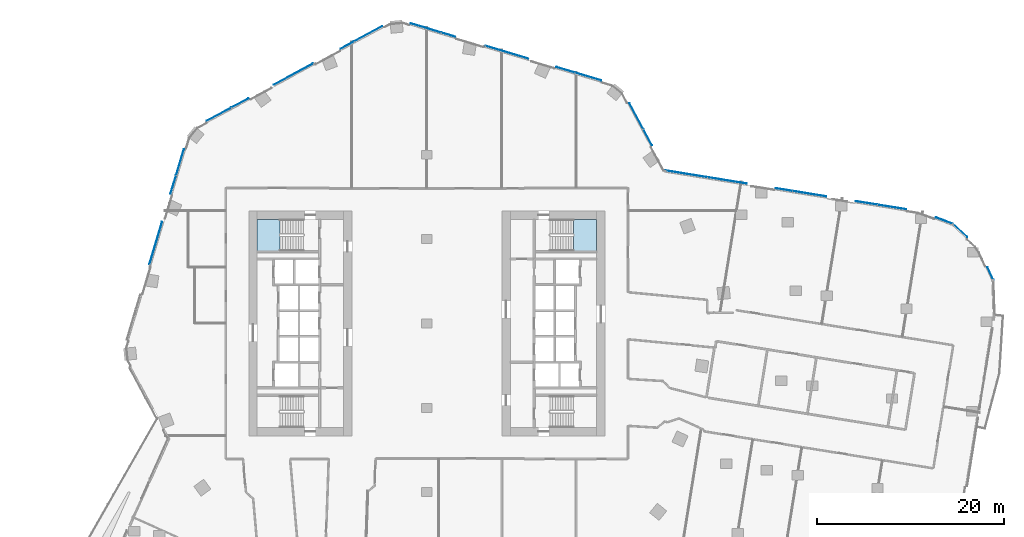
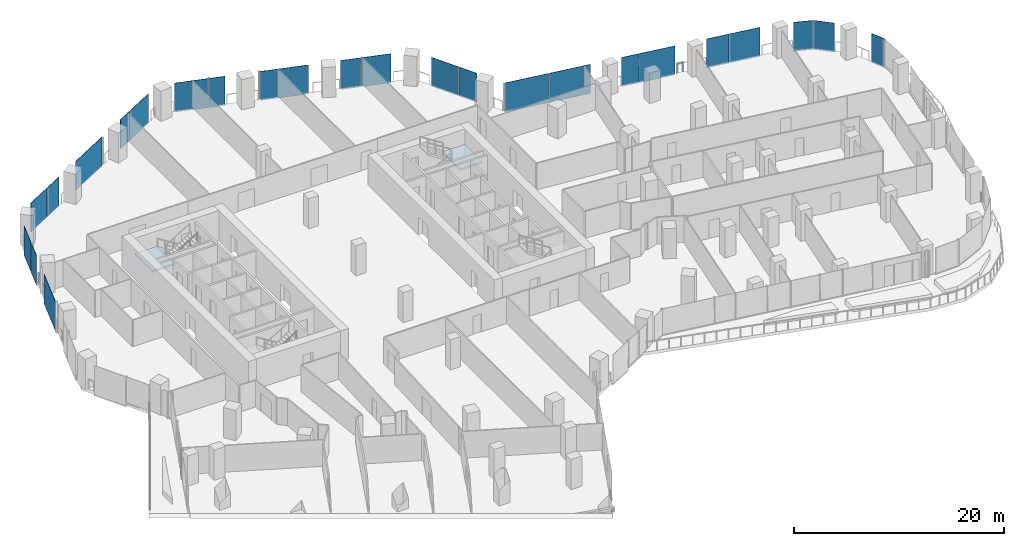
# One storey, part 21 of 32: 24 plates, 2 slabs, 10 elements without a shape of their own.
"""IFC4 building model written with IfcOpenShell, lengths in metres."""

from ifc_helpers import new_model, si_unit, direction, frame, origin, origin_2d, place, context, subcontext, project, spatial, polyline, rectangle, outline, extrude, material, layer, layer_set, type_object, element, aggregate, save


model = new_model("IFC4")

# Units and contexts
model_context = context("Model", 3, precision=1e-05, world=origin(), true_north=direction((0.0, 1.0)))
body_context = subcontext(model_context, "Body", "Model", "MODEL_VIEW")
ifc_project = project(units=[si_unit("LENGTHUNIT", "METRE"), si_unit("AREAUNIT", "SQUARE_METRE"), si_unit("VOLUMEUNIT", "CUBIC_METRE"), si_unit("PLANEANGLEUNIT", "RADIAN"), si_unit("MASSUNIT", "GRAM", prefix="KILO")], contexts=[model_context])

# Site, building, storey
site_placement = place(None, origin())
site = spatial("IfcSite", under=ifc_project, at=site_placement, CompositionType="ELEMENT")
building_placement = place(site_placement, origin())
building = spatial("IfcBuilding", under=site, at=building_placement, Name="Orlundy Tower", CompositionType="ELEMENT")
storey_placement = place(building_placement, frame((0.0, 0.0, 123.699951171875)))
storey = spatial("IfcBuildingStorey", under=building, at=storey_placement, Name="L31", CompositionType="ELEMENT", Elevation=123.699951171875)

# Curtain wall, plates
ifc_material_1 = material(Name="Aluminium bronze anodised", Category="aluminium")
curtain_wall_type = type_object("IfcCurtainWallType", Name="CW1 wall", PredefinedType="NOTDEFINED", material=ifc_material_1)
curtain_wall_1_placement = place(storey_placement, origin())
curtain_wall_1 = element("IfcCurtainWall", 1, at=curtain_wall_1_placement, inside=storey, type_object=curtain_wall_type, Name="CW1 run 02", PredefinedType="NOTDEFINED")
ifc_material_2 = material(Name="Tinted glass", Category="glass")
ifc_layer_1 = layer(ifc_material_2, 0.031982421875)
ifc_layer_set_1 = layer_set([ifc_layer_1], Name="CW1 glass panel 32")
plate_type = type_object("IfcPlateType", Name="CW1 glass panel 32", PredefinedType="CURTAIN_PANEL", material=ifc_layer_set_1)
plate_1_placement = place(storey_placement, frame((-28.92529296875, 8.556640625, -0.27978515625), z_axis=(0.0, 0.0, 1.0), x_axis=(0.286816257107, 0.957985612971, 0.0)))
plate_1 = element("IfcPlate", 2, at=plate_1_placement, type_object=plate_type, Name="CW1 panel", PredefinedType="CURTAIN_PANEL", context=body_context, shape_type="SweptSolid", body=[
    extrude(rectangle(XDim=4.7236328125, YDim=0.031982421875, at=origin_2d()), origin(), (0.0, 0.0, 1.0), 3.3798828125),
])
plate_2_placement = place(storey_placement, frame((-27.057373046875, 14.796142578125, -0.27978515625), z_axis=(0.0, 0.0, 1.0), x_axis=(0.286816257107, 0.957985612971, 0.0)))
plate_2 = element("IfcPlate", 3, at=plate_2_placement, type_object=plate_type, Name="CW1 panel", PredefinedType="CURTAIN_PANEL", context=body_context, shape_type="SweptSolid", body=[
    extrude(rectangle(XDim=2.0322265625, YDim=0.031982421875, at=origin_2d()), origin(), (0.0, 0.0, 1.0), 3.3798828125),
])
plate_3_placement = place(storey_placement, frame((-26.337646484375, 17.199951171875, -0.27978515625), z_axis=(0.0, 0.0, 1.0), x_axis=(0.286816257107, 0.957985612971, 0.0)))
plate_3 = element("IfcPlate", 4, at=plate_3_placement, type_object=plate_type, Name="CW1 panel", PredefinedType="CURTAIN_PANEL", context=body_context, shape_type="SweptSolid", body=[
    extrude(rectangle(XDim=2.886474609375, YDim=0.031982421875, at=origin_2d()), origin(), (0.0, 0.0, 1.0), 3.3798828125),
])
aggregate(curtain_wall_1, [plate_1, plate_2, plate_3])

curtain_wall_2_placement = place(storey_placement, origin())
curtain_wall_2 = element("IfcCurtainWall", 5, at=curtain_wall_2_placement, inside=storey, type_object=curtain_wall_type, Name="CW1 run 03", PredefinedType="NOTDEFINED")
plate_4_placement = place(storey_placement, frame((-22.18603515625, 22.306640625, -0.27978515625), z_axis=(0.0, 0.0, 1.0), x_axis=(0.880191882793, 0.47461800373, 0.0)))
plate_4 = element("IfcPlate", 6, at=plate_4_placement, type_object=plate_type, Name="CW1 panel", PredefinedType="CURTAIN_PANEL", context=body_context, shape_type="SweptSolid", body=[
    extrude(rectangle(XDim=2.920654296875, YDim=0.031982421875, at=origin_2d()), origin(), (0.0, 0.0, 1.0), 3.3798828125),
])
plate_5_placement = place(storey_placement, frame((-19.942138671875, 23.5166015625, -0.27978515625), z_axis=(0.0, 0.0, 1.0), x_axis=(0.880191882793, 0.47461800373, 0.0)))
plate_5 = element("IfcPlate", 7, at=plate_5_placement, type_object=plate_type, Name="CW1 panel", PredefinedType="CURTAIN_PANEL", context=body_context, shape_type="SweptSolid", body=[
    extrude(rectangle(XDim=2.077880859375, YDim=0.031982421875, at=origin_2d()), origin(), (0.0, 0.0, 1.0), 3.3798828125),
])
plate_6_placement = place(storey_placement, frame((-14.2509765625, 26.58544921875, -0.27978515625), z_axis=(0.0, 0.0, 1.0), x_axis=(0.880191882793, 0.47461800373, 0.0)))
plate_6 = element("IfcPlate", 8, at=plate_6_placement, type_object=plate_type, Name="CW1 panel", PredefinedType="CURTAIN_PANEL", context=body_context, shape_type="SweptSolid", body=[
    extrude(rectangle(XDim=4.773193359375, YDim=0.031982421875, at=origin_2d()), origin(), (0.0, 0.0, 1.0), 3.3798828125),
])
plate_7_placement = place(storey_placement, frame((-8.490478515625, 29.69140625, -0.27978515625), z_axis=(0.0, 0.0, 1.0), x_axis=(0.880191882793, 0.47461800373, 0.0)))
plate_7 = element("IfcPlate", 9, at=plate_7_placement, type_object=plate_type, Name="CW1 panel", PredefinedType="CURTAIN_PANEL", context=body_context, shape_type="SweptSolid", body=[
    extrude(rectangle(XDim=1.625732421875, YDim=0.031982421875, at=origin_2d()), origin(), (0.0, 0.0, 1.0), 3.3798828125),
])
plate_8_placement = place(storey_placement, frame((-6.240234375, 30.90478515625, -0.27978515625), z_axis=(0.0, 0.0, 1.0), x_axis=(0.880191882793, 0.47461800373, 0.0)))
plate_8 = element("IfcPlate", 10, at=plate_8_placement, type_object=plate_type, Name="CW1 panel", PredefinedType="CURTAIN_PANEL", context=body_context, shape_type="SweptSolid", body=[
    extrude(rectangle(XDim=3.387451171875, YDim=0.031982421875, at=origin_2d()), origin(), (0.0, 0.0, 1.0), 3.3798828125),
])
aggregate(curtain_wall_2, [plate_4, plate_5, plate_6, plate_7, plate_8])

curtain_wall_3_placement = place(storey_placement, origin())
curtain_wall_3 = element("IfcCurtainWall", 11, at=curtain_wall_3_placement, inside=storey, type_object=curtain_wall_type, Name="CW1 run 04", PredefinedType="NOTDEFINED")
plate_9_placement = place(storey_placement, frame((-0.116943359375, 31.522216796875, -0.27978515625), z_axis=(0.0, 0.0, 1.0), x_axis=(0.957985612971, -0.286816257107, 0.0)))
plate_9 = element("IfcPlate", 12, at=plate_9_placement, type_object=plate_type, Name="CW1 panel", PredefinedType="CURTAIN_PANEL", context=body_context, shape_type="SweptSolid", body=[
    extrude(rectangle(XDim=3.34375, YDim=0.031982421875, at=origin_2d()), origin(), (0.0, 0.0, 1.0), 3.3798828125),
])
plate_10_placement = place(storey_placement, frame((2.286865234375, 30.802490234375, -0.27978515625), z_axis=(0.0, 0.0, 1.0), x_axis=(0.957985612971, -0.286816257107, 0.0)))
plate_10 = element("IfcPlate", 13, at=plate_10_placement, type_object=plate_type, Name="CW1 panel", PredefinedType="CURTAIN_PANEL", context=body_context, shape_type="SweptSolid", body=[
    extrude(rectangle(XDim=1.574951171875, YDim=0.031982421875, at=origin_2d()), origin(), (0.0, 0.0, 1.0), 3.3798828125),
])
plate_11_placement = place(storey_placement, frame((8.556640625, 28.92529296875, -0.27978515625), z_axis=(0.0, 0.0, 1.0), x_axis=(0.957985612971, -0.286816257107, 0.0)))
plate_11 = element("IfcPlate", 14, at=plate_11_placement, type_object=plate_type, Name="CW1 panel", PredefinedType="CURTAIN_PANEL", context=body_context, shape_type="SweptSolid", body=[
    extrude(rectangle(XDim=4.7236328125, YDim=0.031982421875, at=origin_2d()), origin(), (0.0, 0.0, 1.0), 3.3798828125),
])
plate_12_placement = place(storey_placement, frame((14.796142578125, 27.057373046875, -0.27978515625), z_axis=(0.0, 0.0, 1.0), x_axis=(0.957985612971, -0.286816257107, 0.0)))
plate_12 = element("IfcPlate", 15, at=plate_12_placement, type_object=plate_type, Name="CW1 panel", PredefinedType="CURTAIN_PANEL", context=body_context, shape_type="SweptSolid", body=[
    extrude(rectangle(XDim=2.0322265625, YDim=0.031982421875, at=origin_2d()), origin(), (0.0, 0.0, 1.0), 3.3798828125),
])
plate_13_placement = place(storey_placement, frame((17.199951171875, 26.337646484375, -0.27978515625), z_axis=(0.0, 0.0, 1.0), x_axis=(0.957985612971, -0.286816257107, 0.0)))
plate_13 = element("IfcPlate", 16, at=plate_13_placement, type_object=plate_type, Name="CW1 panel", PredefinedType="CURTAIN_PANEL", context=body_context, shape_type="SweptSolid", body=[
    extrude(rectangle(XDim=2.886474609375, YDim=0.031982421875, at=origin_2d()), origin(), (0.0, 0.0, 1.0), 3.3798828125),
])
aggregate(curtain_wall_3, [plate_9, plate_10, plate_11, plate_12, plate_13])

curtain_wall_4_placement = place(storey_placement, origin())
curtain_wall_4 = element("IfcCurtainWall", 17, at=curtain_wall_4_placement, inside=storey, type_object=curtain_wall_type, Name="CW1 run 05", PredefinedType="NOTDEFINED")
plate_14_placement = place(storey_placement, frame((22.341796875, 22.120849609375, -0.27978515625), z_axis=(0.0, 0.0, 1.0), x_axis=(0.4746239814, -0.880188659482, 0.0)))
plate_14 = element("IfcPlate", 18, at=plate_14_placement, type_object=plate_type, Name="CW1 panel", PredefinedType="CURTAIN_PANEL", context=body_context, shape_type="SweptSolid", body=[
    extrude(rectangle(XDim=3.06884765625, YDim=0.031982421875, at=origin_2d()), origin(), (0.0, 0.0, 1.0), 3.3798828125),
])
plate_15_placement = place(storey_placement, frame((23.5517578125, 19.876953125, -0.27978515625), z_axis=(0.0, 0.0, 1.0), x_axis=(0.4746239814, -0.880188659482, 0.0)))
plate_15 = element("IfcPlate", 19, at=plate_15_placement, type_object=plate_type, Name="CW1 panel", PredefinedType="CURTAIN_PANEL", context=body_context, shape_type="SweptSolid", body=[
    extrude(rectangle(XDim=1.929931640625, YDim=0.031982421875, at=origin_2d()), origin(), (0.0, 0.0, 1.0), 3.3798828125),
])
aggregate(curtain_wall_4, [plate_14, plate_15])

curtain_wall_5_placement = place(storey_placement, origin())
curtain_wall_5 = element("IfcCurtainWall", 20, at=curtain_wall_5_placement, inside=storey, type_object=curtain_wall_type, Name="CW1 run 06", PredefinedType="NOTDEFINED")
plate_16_placement = place(storey_placement, frame((27.685791015625, 15.95703125, -0.27978515625), z_axis=(0.0, 0.0, 1.0), x_axis=(0.987229883184, -0.159302095871, 0.0)))
plate_16 = element("IfcPlate", 21, at=plate_16_placement, type_object=plate_type, Name="CW1 panel", PredefinedType="CURTAIN_PANEL", context=body_context, shape_type="SweptSolid", body=[
    extrude(rectangle(XDim=4.48291015625, YDim=0.031982421875, at=origin_2d()), origin(), (0.0, 0.0, 1.0), 3.3798828125),
])
plate_17_placement = place(storey_placement, frame((32.0341796875, 15.25537109375, -0.27978515625), z_axis=(0.0, 0.0, 1.0), x_axis=(0.987229883184, -0.159302095871, 0.0)))
plate_17 = element("IfcPlate", 22, at=plate_17_placement, type_object=plate_type, Name="CW1 panel", PredefinedType="CURTAIN_PANEL", context=body_context, shape_type="SweptSolid", body=[
    extrude(rectangle(XDim=4.2265625, YDim=0.031982421875, at=origin_2d()), origin(), (0.0, 0.0, 1.0), 3.3798828125),
])
plate_18_placement = place(storey_placement, frame((38.088134765625, 14.2783203125, -0.27978515625), z_axis=(0.0, 0.0, 1.0), x_axis=(0.987229883184, -0.159302095871, 0.0)))
plate_18 = element("IfcPlate", 23, at=plate_18_placement, type_object=plate_type, Name="CW1 panel", PredefinedType="CURTAIN_PANEL", context=body_context, shape_type="SweptSolid", body=[
    extrude(rectangle(XDim=1.763916015625, YDim=0.031982421875, at=origin_2d()), origin(), (0.0, 0.0, 1.0), 3.3798828125),
])
plate_19_placement = place(storey_placement, frame((40.810546875, 13.839111328125, -0.27978515625), z_axis=(0.0, 0.0, 1.0), x_axis=(0.987229883184, -0.159302095871, 0.0)))
plate_19 = element("IfcPlate", 24, at=plate_19_placement, type_object=plate_type, Name="CW1 panel", PredefinedType="CURTAIN_PANEL", context=body_context, shape_type="SweptSolid", body=[
    extrude(rectangle(XDim=3.65087890625, YDim=0.031982421875, at=origin_2d()), origin(), (0.0, 0.0, 1.0), 3.3798828125),
])
plate_20_placement = place(storey_placement, frame((46.895263671875, 12.857177734375, -0.27978515625), z_axis=(0.0, 0.0, 1.0), x_axis=(0.987229883184, -0.159302095871, 0.0)))
plate_20 = element("IfcPlate", 25, at=plate_20_placement, type_object=plate_type, Name="CW1 panel", PredefinedType="CURTAIN_PANEL", context=body_context, shape_type="SweptSolid", body=[
    extrude(rectangle(XDim=2.277099609375, YDim=0.031982421875, at=origin_2d()), origin(), (0.0, 0.0, 1.0), 3.3798828125),
])
plate_21_placement = place(storey_placement, frame((49.5927734375, 12.422119140625, -0.27978515625), z_axis=(0.0, 0.0, 1.0), x_axis=(0.987229883184, -0.159302095871, 0.0)))
plate_21 = element("IfcPlate", 26, at=plate_21_placement, type_object=plate_type, Name="CW1 panel", PredefinedType="CURTAIN_PANEL", context=body_context, shape_type="SweptSolid", body=[
    extrude(rectangle(XDim=3.08740234375, YDim=0.031982421875, at=origin_2d()), origin(), (0.0, 0.0, 1.0), 3.3798828125),
])
aggregate(curtain_wall_5, [plate_16, plate_17, plate_18, plate_19, plate_20, plate_21])

# Curtain wall, plate
curtain_wall_6_placement = place(storey_placement, origin())
curtain_wall_6 = element("IfcCurtainWall", 27, at=curtain_wall_6_placement, inside=storey, type_object=curtain_wall_type, Name="CW1 run 07", PredefinedType="NOTDEFINED")
plate_22_placement = place(storey_placement, frame((55.2109375, 10.962646484375, -0.27978515625), z_axis=(0.0, 0.0, 1.0), x_axis=(0.937158252964, -0.348904584236, 0.0)))
plate_22 = element("IfcPlate", 28, at=plate_22_placement, type_object=plate_type, Name="CW1 panel", PredefinedType="CURTAIN_PANEL", context=body_context, shape_type="SweptSolid", body=[
    extrude(rectangle(XDim=1.915771484375, YDim=0.031982421875, at=origin_2d()), origin(), (0.0, 0.0, 1.0), 3.3798828125),
])
aggregate(curtain_wall_6, [plate_22])

curtain_wall_7_placement = place(storey_placement, origin())
curtain_wall_7 = element("IfcCurtainWall", 29, at=curtain_wall_7_placement, inside=storey, type_object=curtain_wall_type, Name="CW1 run 08", PredefinedType="NOTDEFINED")
plate_23_placement = place(storey_placement, frame((56.867431640625, 9.9228515625, -0.27978515625), z_axis=(0.0, 0.0, 1.0), x_axis=(0.732399444763, -0.680875211262, 0.0)))
plate_23 = element("IfcPlate", 30, at=plate_23_placement, type_object=plate_type, Name="CW1 panel", PredefinedType="CURTAIN_PANEL", context=body_context, shape_type="SweptSolid", body=[
    extrude(rectangle(XDim=2.07177734375, YDim=0.031982421875, at=origin_2d()), origin(), (0.0, 0.0, 1.0), 3.3798828125),
])
aggregate(curtain_wall_7, [plate_23])

curtain_wall_8_placement = place(storey_placement, origin())
curtain_wall_8 = element("IfcCurtainWall", 31, at=curtain_wall_8_placement, inside=storey, type_object=curtain_wall_type, Name="CW1 run 09", PredefinedType="NOTDEFINED")
plate_24_placement = place(storey_placement, frame((60.126220703125, 5.31689453125, -0.27978515625), z_axis=(0.0, 0.0, 1.0), x_axis=(0.415976507053, -0.909375360113, 0.0)))
plate_24 = element("IfcPlate", 32, at=plate_24_placement, type_object=plate_type, Name="CW1 panel", PredefinedType="CURTAIN_PANEL", context=body_context, shape_type="SweptSolid", body=[
    extrude(rectangle(XDim=1.51171875, YDim=0.031982421875, at=origin_2d()), origin(), (0.0, 0.0, 1.0), 3.3798828125),
])
aggregate(curtain_wall_8, [plate_24])

# Stair, slab
ifc_material_3 = material(Name="Concrete C50/60", Category="concrete")
stair_type = type_object("IfcStairType", Name="Exit Stair 20 risers", PredefinedType="HALF_TURN_STAIR", material=ifc_material_3)
stair_1_placement = place(storey_placement, origin())
stair_1 = element("IfcStair", 33, at=stair_1_placement, inside=storey, type_object=stair_type, Name="L31 Exit Stair ST-W1", PredefinedType="HALF_TURN_STAIR")
ifc_material_4 = material(Name="Concrete C50/60", Category="concrete")
ifc_layer_2 = layer(ifc_material_4, 0.199951171875)
ifc_layer_set_2 = layer_set([ifc_layer_2], Name="Exit Stair Landing")
slab_type = type_object("IfcSlabType", Name="Exit Stair Landing", PredefinedType="LANDING", material=ifc_layer_set_2)
slab_1_placement = place(storey_placement, frame((0.0, 0.0, 1.550048828125)))
slab_1 = element("IfcSlab", 34, at=slab_1_placement, type_object=slab_type, Name="ST-W1 landing 1", PredefinedType="LANDING", context=body_context, shape_type="SweptSolid", body=[
    extrude(outline(polyline([(-15.659912109375, 11.10009765625), (-18.10009765625, 11.10009765625), (-18.10009765625, 7.75), (-15.659912109375, 7.75), (-15.659912109375, 11.10009765625)])), origin(), (0.0, 0.0, 1.0), 0.199951171875),
])
aggregate(stair_1, [slab_1])

stair_2_placement = place(storey_placement, origin())
stair_2 = element("IfcStair", 35, at=stair_2_placement, inside=storey, type_object=stair_type, Name="L31 Exit Stair ST-E2", PredefinedType="HALF_TURN_STAIR")
slab_2_placement = place(storey_placement, frame((0.0, 0.0, 1.550048828125)))
slab_2 = element("IfcSlab", 36, at=slab_2_placement, type_object=slab_type, Name="ST-E2 landing 1", PredefinedType="LANDING", context=body_context, shape_type="SweptSolid", body=[
    extrude(outline(polyline([(15.659912109375, 7.75), (18.10009765625, 7.75), (18.10009765625, 11.10009765625), (15.659912109375, 11.10009765625), (15.659912109375, 7.75)])), origin(), (0.0, 0.0, 1.0), 0.199951171875),
])
aggregate(stair_2, [slab_2])

save(model, "model.ifc")
